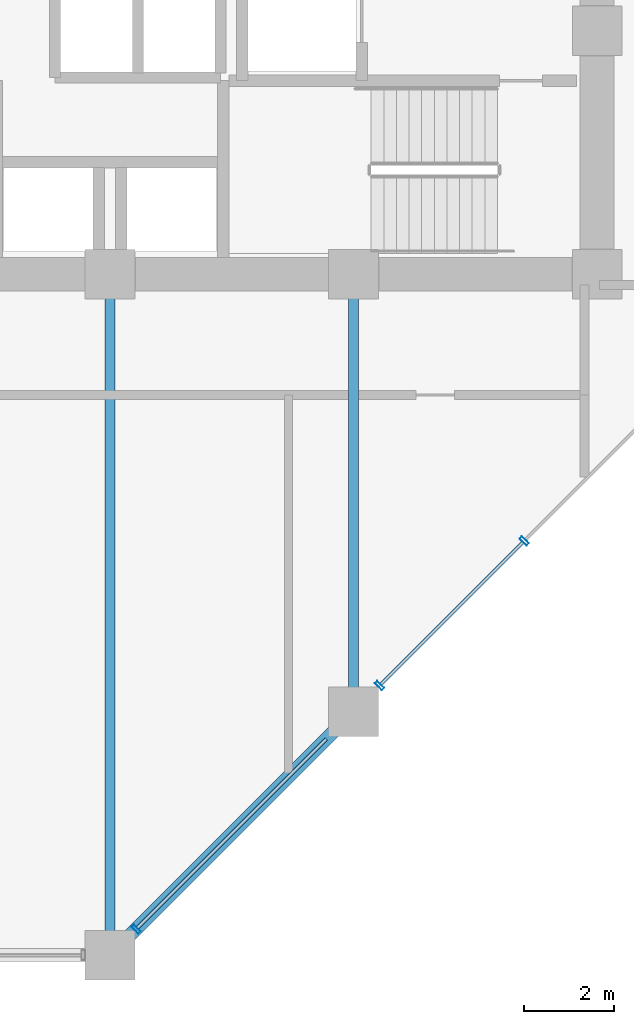
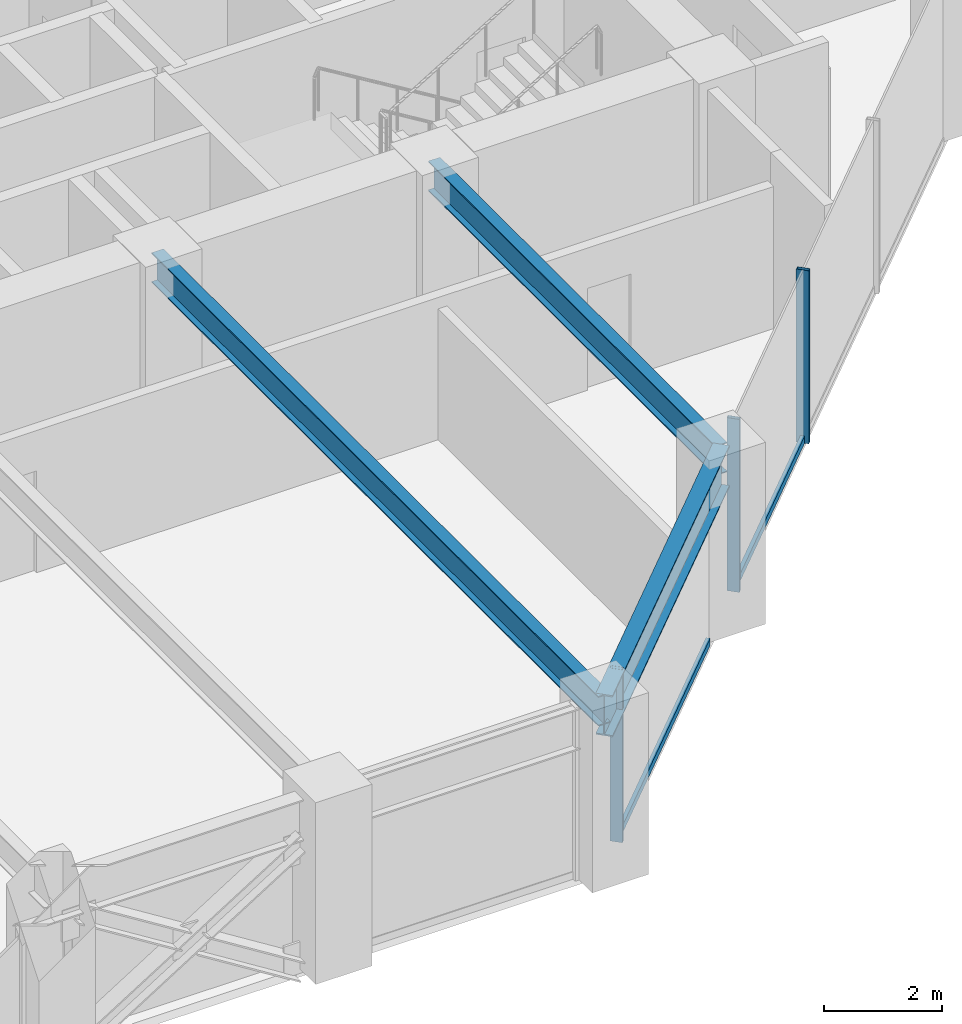
# One storey, part 7 of 25: 5 members, 3 beams, 1 element without a shape of its own.
"""IFC4 building model written with IfcOpenShell, lengths in metres."""

from ifc_helpers import new_model, si_unit, direction, frame, origin, origin_2d, place, context, subcontext, project, spatial, hollow_rectangle, i_section, extrude, material, layer, layer_set, material_profile, profile_set, type_object, element, aggregate, save


model = new_model("IFC4")

# Units and contexts
model_context = context("Model", 3, precision=1e-05, world=origin(), true_north=direction((0.0, 1.0)))
body_context = subcontext(model_context, "Body", "Model", "MODEL_VIEW")
ifc_project = project(units=[si_unit("LENGTHUNIT", "METRE"), si_unit("AREAUNIT", "SQUARE_METRE"), si_unit("VOLUMEUNIT", "CUBIC_METRE"), si_unit("PLANEANGLEUNIT", "RADIAN"), si_unit("MASSUNIT", "GRAM", prefix="KILO")], contexts=[model_context])

# Site, building, storey
site_placement = place(None, origin())
site = spatial("IfcSite", under=ifc_project, at=site_placement, CompositionType="ELEMENT")
building_placement = place(site_placement, origin())
building = spatial("IfcBuilding", under=site, at=building_placement, Name="Surkhivell Harbour Commons", CompositionType="ELEMENT")
storey_placement = place(building_placement, frame((0.0, 0.0, 113.25)))
storey = spatial("IfcBuildingStorey", under=building, at=storey_placement, Name="L29", CompositionType="ELEMENT", Elevation=113.25)

# Beams
ifc_material_1 = material(Name="Steel S355", Category="steel")
ifc_material_profile_1 = material_profile(ifc_material_1, i_section(OverallWidth=0.22998046875, OverallDepth=0.616943359375, WebThickness=0.01318359375, FlangeThickness=0.022216796875, at=origin_2d()), Name="UB610x229x140")
ifc_profile_set_1 = profile_set([ifc_material_profile_1], Name="Steel S355")
beam_type_1 = type_object("IfcBeamType", Name="BM-GRD-610B", PredefinedType="BEAM", material=ifc_profile_set_1)
beam_1_placement = place(storey_placement, frame((0.0, -25.89990234375, 3.261474609375), z_axis=(0.0, 1.0, 0.0), x_axis=(-1.0, 0.0, 0.0)))
element("IfcBeam", 1, at=beam_1_placement, inside=storey, type_object=beam_type_1, Name="L29 Floor Girder (0.0,-25.9)", PredefinedType="BEAM", context=body_context, shape_type="SweptSolid", body=[
    extrude(i_section(OverallWidth=0.22998046875, OverallDepth=0.616943359375, WebThickness=0.01318359375, FlangeThickness=0.022216796875, at=origin_2d()), origin(), (0.0, 0.0, 1.0), 15.099853515625),
])
beam_2_placement = place(storey_placement, frame((5.39990234375, -20.5, 3.261474609375), z_axis=(0.0, 1.0, 0.0), x_axis=(-1.0, 0.0, 0.0)))
element("IfcBeam", 2, at=beam_2_placement, inside=storey, type_object=beam_type_1, Name="L29 Floor Girder (5.4,-20.5)", PredefinedType="BEAM", context=body_context, shape_type="SweptSolid", body=[
    extrude(i_section(OverallWidth=0.22998046875, OverallDepth=0.616943359375, WebThickness=0.01318359375, FlangeThickness=0.022216796875, at=origin_2d()), origin(), (0.0, 0.0, 1.0), 9.699951171875),
])
ifc_material_2 = material(Name="Steel S460", Category="steel")
ifc_material_profile_2 = material_profile(ifc_material_2, i_section(OverallWidth=0.2939453125, OverallDepth=0.85107421875, WebThickness=0.01611328125, FlangeThickness=0.02685546875, at=origin_2d()), Name="UB838x292x226")
ifc_profile_set_2 = profile_set([ifc_material_profile_2], Name="Steel S460")
beam_type_2 = type_object("IfcBeamType", Name="BM-SPN-838", PredefinedType="SPANDREL", material=ifc_profile_set_2)
beam_3_placement = place(storey_placement, frame((0.0, -25.89990234375, 3.14453125), z_axis=(0.707106781187, 0.707106781187, 0.0), x_axis=(-0.707106781187, 0.707106781187, 0.0)))
element("IfcBeam", 3, at=beam_3_placement, inside=storey, type_object=beam_type_2, Name="L29 Tube Spandrel (-0.0,-25.9)", PredefinedType="SPANDREL", context=body_context, shape_type="SweptSolid", body=[
    extrude(i_section(OverallWidth=0.2939453125, OverallDepth=0.85107421875, WebThickness=0.01611328125, FlangeThickness=0.02685546875, at=origin_2d()), origin(), (0.0, 0.0, 1.0), 7.63671875),
])

# Curtain wall, members
ifc_material_3 = material(Name="Anodised pale-metal aluminium and insulated glazing", Category="aluminium")
ifc_layer = layer(ifc_material_3, 0.205078125)
ifc_layer_set = layer_set([ifc_layer], Name="Anodised pale-metal aluminium and insulated glazing")
curtain_wall_type = type_object("IfcCurtainWallType", Name="CW-SYS-Z2", PredefinedType="NOTDEFINED", material=ifc_layer_set)
curtain_wall_placement = place(storey_placement, origin())
curtain_wall = element("IfcCurtainWall", 4, at=curtain_wall_placement, inside=storey, type_object=curtain_wall_type, Name="L29 Curtain Wall CW-L29-E01", PredefinedType="NOTDEFINED")
ifc_material_4 = material(Name="Anodised pale-metal aluminium alloy 6063-T6", Category="aluminium")
ifc_material_profile_3 = material_profile(ifc_material_4, hollow_rectangle(XDim=0.074951171875, YDim=0.219970703125, WallThickness=0.00390625, at=origin_2d()), Name="ALU-MULL-75x220")
ifc_profile_set_3 = profile_set([ifc_material_profile_3], Name="Anodised pale-metal aluminium alloy 6063-T6")
member_type_1 = type_object("IfcMemberType", Name="CWM-220", PredefinedType="MULLION", material=ifc_profile_set_3)
member_1_placement = place(storey_placement, frame((0.578125, -25.32177734375, 0.0), z_axis=(0.0, 0.0, 1.0), x_axis=(0.707106781187, 0.707106781187, 0.0)))
member_1 = element("IfcMember", 5, at=member_1_placement, type_object=member_type_1, Name="CW-Z2 mullion 1", PredefinedType="MULLION", context=body_context, shape_type="SweptSolid", body=[
    extrude(hollow_rectangle(XDim=0.074951171875, YDim=0.219970703125, WallThickness=0.00390625, at=origin_2d()), origin(), (0.0, 0.0, 1.0), 3.570068359375),
])
member_2_placement = place(storey_placement, frame((5.978271484375, -19.921875, 0.0), z_axis=(0.0, 0.0, 1.0), x_axis=(0.707106781187, 0.707106781187, 0.0)))
member_2 = element("IfcMember", 6, at=member_2_placement, type_object=member_type_1, Name="CW-Z2 mullion 2", PredefinedType="MULLION", context=body_context, shape_type="SweptSolid", body=[
    extrude(hollow_rectangle(XDim=0.074951171875, YDim=0.219970703125, WallThickness=0.00390625, at=origin_2d()), origin(), (0.0, 0.0, 1.0), 3.570068359375),
])
member_3_placement = place(storey_placement, frame((9.183837890625, -16.716064453125, 0.0), z_axis=(0.0, 0.0, 1.0), x_axis=(0.707106781187, 0.707106781187, 0.0)))
member_3 = element("IfcMember", 7, at=member_3_placement, type_object=member_type_1, Name="CW-Z2 mullion 3", PredefinedType="MULLION", context=body_context, shape_type="SweptSolid", body=[
    extrude(hollow_rectangle(XDim=0.074951171875, YDim=0.219970703125, WallThickness=0.00390625, at=origin_2d()), origin(), (0.0, 0.0, 1.0), 3.570068359375),
])
ifc_material_profile_4 = material_profile(ifc_material_4, hollow_rectangle(XDim=0.074951171875, YDim=0.14990234375, WallThickness=0.00341796875, at=origin_2d()), Name="ALU-TRAN-75x150")
ifc_profile_set_4 = profile_set([ifc_material_profile_4], Name="Anodised pale-metal aluminium alloy 6063-T6")
member_type_2 = type_object("IfcMemberType", Name="CWT-150", PredefinedType="USERDEFINED", material=ifc_profile_set_4)
member_4_placement = place(storey_placement, frame((0.604736328125, -25.295166015625, 0.074951171875), z_axis=(0.707106781187, 0.707106781187, 0.0), x_axis=(-0.707106781187, 0.707106781187, 0.0)))
member_4 = element("IfcMember", 8, at=member_4_placement, type_object=member_type_2, Name="CW-Z2 transom 1.1", ObjectType="TRANSOM", PredefinedType="USERDEFINED", context=body_context, shape_type="SweptSolid", body=[
    extrude(hollow_rectangle(XDim=0.074951171875, YDim=0.14990234375, WallThickness=0.00341796875, at=origin_2d()), origin(), (0.0, 0.0, 1.0), 5.92626953125),
])
member_5_placement = place(storey_placement, frame((6.004638671875, -19.895263671875, 0.074951171875), z_axis=(0.707134159244, 0.707079402069, 0.0), x_axis=(-0.707079402069, 0.707134159244, 0.0)))
member_5 = element("IfcMember", 9, at=member_5_placement, type_object=member_type_2, Name="CW-Z2 transom 2.1", ObjectType="TRANSOM", PredefinedType="USERDEFINED", context=body_context, shape_type="SweptSolid", body=[
    extrude(hollow_rectangle(XDim=0.074951171875, YDim=0.14990234375, WallThickness=0.00341796875, at=origin_2d()), origin(), (0.0, 0.0, 1.0), 4.45849609375),
])
aggregate(curtain_wall, [member_1, member_4, member_2, member_3, member_5])

save(model, "model.ifc")
